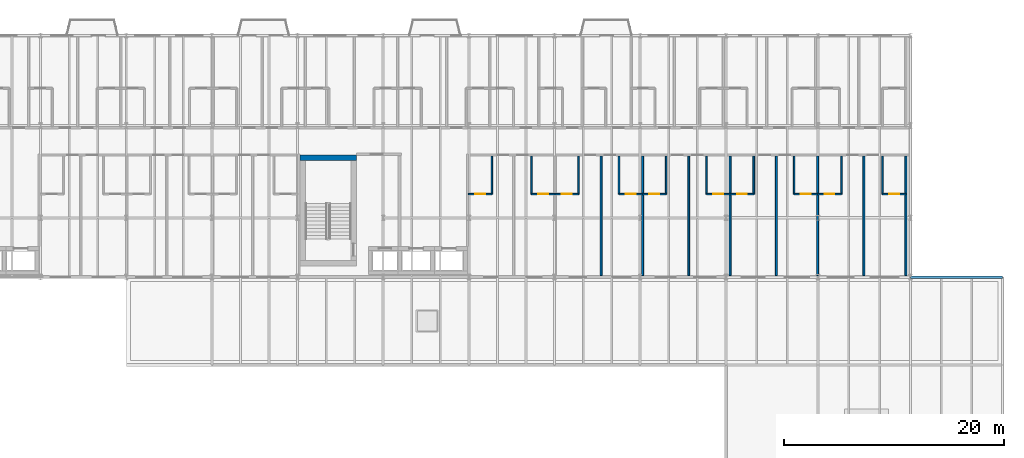
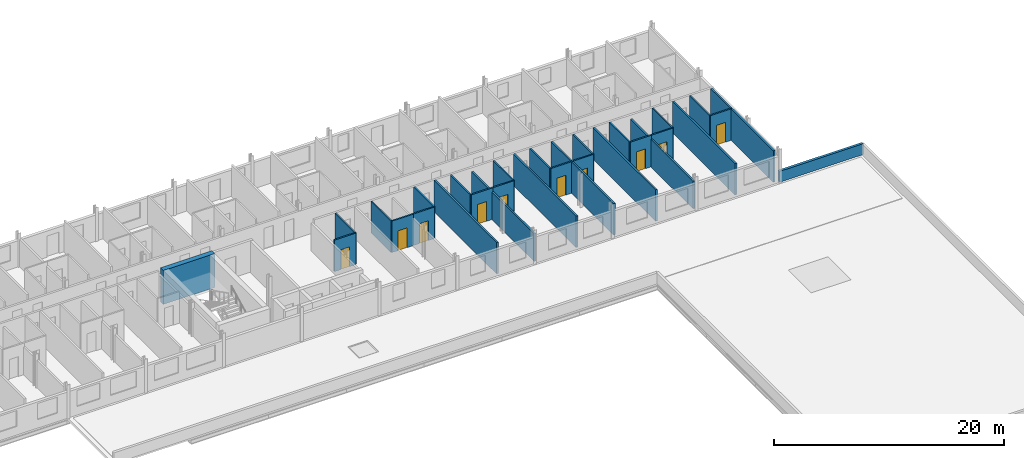
# One storey, part 26 of 36: 30 walls, 10 doors, 10 openings.
"""IFC4 building model written with IfcOpenShell, lengths in metres."""

from ifc_helpers import new_model, si_unit, direction, frame, frame_2d, origin, place, context, subcontext, project, spatial, rectangle, extrude, material, layer, layer_set, type_object, element, fill, save


model = new_model("IFC4")

# Units and contexts
model_context = context("Model", 3, precision=1e-05, world=origin(), true_north=direction((0.0, 1.0)))
body_context = subcontext(model_context, "Body", "Model", "MODEL_VIEW")
ifc_project = project(units=[si_unit("LENGTHUNIT", "METRE"), si_unit("AREAUNIT", "SQUARE_METRE"), si_unit("VOLUMEUNIT", "CUBIC_METRE"), si_unit("PLANEANGLEUNIT", "RADIAN"), si_unit("MASSUNIT", "GRAM", prefix="KILO")], contexts=[model_context])

# Site, building, storey
site_placement = place(None, origin())
site = spatial("IfcSite", under=ifc_project, at=site_placement, CompositionType="ELEMENT")
building_placement = place(site_placement, origin())
building = spatial("IfcBuilding", under=site, at=building_placement, Name="Sefraquen Railside Congress Hotel", CompositionType="ELEMENT")
storey_placement = place(building_placement, frame((0.0, 0.0, 24.60009765625)))
storey = spatial("IfcBuildingStorey", under=building, at=storey_placement, Name="L05", CompositionType="ELEMENT", Elevation=24.60009765625)

# Walls
ifc_material_1 = material(Name="Concrete C50/60", Category="concrete")
ifc_layer_1 = layer(ifc_material_1, 0.5)
ifc_layer_set_1 = layer_set([ifc_layer_1], Name="Concrete C50/60")
wall_type_1 = type_object("IfcWallType", Name="TW-CW-500", PredefinedType="SHEAR", material=ifc_layer_set_1)
wall_1_placement = place(storey_placement, frame((64.39990234375, 106.862060546875, 0.0), z_axis=(0.0, 0.0, 1.0), x_axis=(1.0, 0.0, 0.0)))
element("IfcWall", 1, at=wall_1_placement, inside=storey, type_object=wall_type_1, Name="Core shear wall ST-H03 N L05", PredefinedType="SHEAR", context=body_context, shape_type="SweptSolid", body=[
    extrude(rectangle(XDim=5.16015625, YDim=0.5, at=frame_2d((2.580078125, 0.0))), origin(), (0.0, 0.0, 1.0), 3.599853515625),
])
ifc_material_2 = material(Name="Precast concrete C40/50", Category="concrete")
ifc_layer_2 = layer(ifc_material_2, 0.25)
ifc_layer_set_2 = layer_set([ifc_layer_2], Name="Precast concrete C40/50")
wall_type_2 = type_object("IfcWallType", Name="TW-PA-250", PredefinedType="PARAPET", material=ifc_layer_set_2)
wall_2_placement = place(storey_placement, frame((128.39990234375, 96.0, 0.0), z_axis=(0.0, 0.0, 1.0), x_axis=(-1.0, 0.0, 0.0)))
element("IfcWall", 2, at=wall_2_placement, inside=storey, type_object=wall_type_2, Name="Meeting Wing L05 roof parapet 05", PredefinedType="PARAPET", context=body_context, shape_type="SweptSolid", body=[
    extrude(rectangle(XDim=8.39990234375, YDim=0.25, at=frame_2d((4.199951171875, 0.0))), origin(), (0.0, 0.0, 1.0), 1.14990234375),
])
ifc_material_3 = material(Name="Moisture-resistant gypsum board", Category="gypsum")
ifc_layer_3 = layer(ifc_material_3, 0.139892578125)
ifc_layer_set_3 = layer_set([ifc_layer_3], Name="Moisture-resistant gypsum board")
wall_type_3 = type_object("IfcWallType", Name="TW-PW-140", PredefinedType="PARTITIONING", material=ifc_layer_set_3)
wall_3_placement = place(storey_placement, frame((81.89990234375, 103.550048828125, 0.0), z_axis=(0.0, 0.0, 1.0), x_axis=(0.0, 1.0, 0.0)))
element("IfcWall", 3, at=wall_3_placement, inside=storey, type_object=wall_type_3, Name="En-suite bathroom east wall RM-030", PredefinedType="PARTITIONING", context=body_context, shape_type="SweptSolid", body=[
    extrude(rectangle(XDim=3.469970703125, YDim=0.139892578125, at=frame_2d((1.73486328125, 0.0))), origin(), (0.0, 0.0, 1.0), 3.33984375),
])

# Wall, opening, door
wall_4_placement = place(storey_placement, frame((79.75, 103.550048828125, 0.0), z_axis=(0.0, 0.0, 1.0), x_axis=(1.0, 0.0, 0.0)))
wall_4 = element("IfcWall", 4, at=wall_4_placement, inside=storey, type_object=wall_type_3, Name="En-suite bathroom south wall RM-030", PredefinedType="PARTITIONING", context=body_context, shape_type="SweptSolid", body=[
    extrude(rectangle(XDim=2.14990234375, YDim=0.139892578125, at=frame_2d((1.074951171875, 0.0))), origin(), (0.0, 0.0, 1.0), 3.33984375),
])
opening_1_placement = place(wall_4_placement, frame((0.625, 0.0, 0.0)))
opening_1 = element("IfcOpeningElement", 5, at=opening_1_placement, cuts=wall_4, Name="Opening ID-02", PredefinedType="OPENING", context=body_context, shape_type="SweptSolid", body=[
    extrude(rectangle(XDim=0.89990234375, YDim=2.10009765625, at=frame_2d((0.449951171875, 1.050048828125))), frame((0.0, 0.079833984375, 0.0), z_axis=(0.0, -1.0, 0.0), x_axis=(1.0, 0.0, 0.0)), (0.0, 0.0, 1.0), 0.159912109375),
])
ifc_material_4 = material(Name="Lacquered cedar joinery", Category="wood")
door_type = type_object("IfcDoorType", Name="TD-ID-02", OperationType="NOTDEFINED", PredefinedType="DOOR", material=ifc_material_4)
door_1_placement = place(opening_1_placement, frame((0.89990234375, 0.0, 0.0), z_axis=(0.0, 0.0, 1.0), x_axis=(-1.0, 0.0, 0.0)))
door_1 = element("IfcDoor", 6, at=door_1_placement, inside=storey, type_object=door_type, Name="En-suite bathroom door RM-030", OperationType="SINGLE_SWING_LEFT", OverallHeight=2.10009765625, OverallWidth=0.89990234375, PredefinedType="DOOR", context=body_context, shape_type="SweptSolid", body=[
    extrude(rectangle(XDim=0.89990234375, YDim=2.10009765625, at=frame_2d((0.449951171875, 1.050048828125))), frame((0.0, 0.02490234375, 0.0), z_axis=(0.0, -1.0, 0.0), x_axis=(1.0, 0.0, 0.0)), (0.0, 0.0, 1.0), 0.050048828125),
])
fill(opening_1, door_1)

# Wall
wall_5_placement = place(storey_placement, frame((85.498046875, 103.550048828125, 0.0), z_axis=(0.0, 0.0, 1.0), x_axis=(0.0, 1.0, 0.0)))
element("IfcWall", 7, at=wall_5_placement, inside=storey, type_object=wall_type_3, Name="En-suite bathroom west wall RM-031", PredefinedType="PARTITIONING", context=body_context, shape_type="SweptSolid", body=[
    extrude(rectangle(XDim=3.469970703125, YDim=0.139892578125, at=frame_2d((1.73486328125, 0.0))), origin(), (0.0, 0.0, 1.0), 3.33984375),
])

# Wall, opening, door
wall_6_placement = place(storey_placement, frame((85.498046875, 103.550048828125, 0.0), z_axis=(0.0, 0.0, 1.0), x_axis=(1.0, 0.0, 0.0)))
wall_6 = element("IfcWall", 8, at=wall_6_placement, inside=storey, type_object=wall_type_3, Name="En-suite bathroom south wall RM-031", PredefinedType="PARTITIONING", context=body_context, shape_type="SweptSolid", body=[
    extrude(rectangle(XDim=2.14990234375, YDim=0.139892578125, at=frame_2d((1.074951171875, 0.0))), origin(), (0.0, 0.0, 1.0), 3.33984375),
])
opening_2_placement = place(wall_6_placement, frame((0.625, 0.0, 0.0)))
opening_2 = element("IfcOpeningElement", 9, at=opening_2_placement, cuts=wall_6, Name="Opening ID-02", PredefinedType="OPENING", context=body_context, shape_type="SweptSolid", body=[
    extrude(rectangle(XDim=0.89990234375, YDim=2.10009765625, at=frame_2d((0.449951171875, 1.050048828125))), frame((0.0, 0.079833984375, 0.0), z_axis=(0.0, -1.0, 0.0), x_axis=(1.0, 0.0, 0.0)), (0.0, 0.0, 1.0), 0.159912109375),
])
door_2_placement = place(opening_2_placement, frame((0.89990234375, 0.0, 0.0), z_axis=(0.0, 0.0, 1.0), x_axis=(-1.0, 0.0, 0.0)))
door_2 = element("IfcDoor", 10, at=door_2_placement, inside=storey, type_object=door_type, Name="En-suite bathroom door RM-031", OperationType="SINGLE_SWING_LEFT", OverallHeight=2.10009765625, OverallWidth=0.89990234375, PredefinedType="DOOR", context=body_context, shape_type="SweptSolid", body=[
    extrude(rectangle(XDim=0.89990234375, YDim=2.10009765625, at=frame_2d((0.449951171875, 1.050048828125))), frame((0.0, 0.02490234375, 0.0), z_axis=(0.0, -1.0, 0.0), x_axis=(1.0, 0.0, 0.0)), (0.0, 0.0, 1.0), 0.050048828125),
])
fill(opening_2, door_2)

# Wall
wall_7_placement = place(storey_placement, frame((89.798095703125, 103.550048828125, 0.0), z_axis=(0.0, 0.0, 1.0), x_axis=(0.0, 1.0, 0.0)))
element("IfcWall", 11, at=wall_7_placement, inside=storey, type_object=wall_type_3, Name="En-suite bathroom east wall RM-032", PredefinedType="PARTITIONING", context=body_context, shape_type="SweptSolid", body=[
    extrude(rectangle(XDim=3.469970703125, YDim=0.139892578125, at=frame_2d((1.73486328125, 0.0))), origin(), (0.0, 0.0, 1.0), 3.33984375),
])

# Wall, opening, door
wall_8_placement = place(storey_placement, frame((87.64794921875, 103.550048828125, 0.0), z_axis=(0.0, 0.0, 1.0), x_axis=(1.0, 0.0, 0.0)))
wall_8 = element("IfcWall", 12, at=wall_8_placement, inside=storey, type_object=wall_type_3, Name="En-suite bathroom south wall RM-032", PredefinedType="PARTITIONING", context=body_context, shape_type="SweptSolid", body=[
    extrude(rectangle(XDim=2.150146484375, YDim=0.139892578125, at=frame_2d((1.0751953125, 0.0))), origin(), (0.0, 0.0, 1.0), 3.33984375),
])
opening_3_placement = place(wall_8_placement, frame((0.625, 0.0, 0.0)))
opening_3 = element("IfcOpeningElement", 13, at=opening_3_placement, cuts=wall_8, Name="Opening ID-02", PredefinedType="OPENING", context=body_context, shape_type="SweptSolid", body=[
    extrude(rectangle(XDim=0.89990234375, YDim=2.10009765625, at=frame_2d((0.449951171875, 1.050048828125))), frame((0.0, 0.079833984375, 0.0), z_axis=(0.0, -1.0, 0.0), x_axis=(1.0, 0.0, 0.0)), (0.0, 0.0, 1.0), 0.159912109375),
])
door_3_placement = place(opening_3_placement, frame((0.89990234375, 0.0, 0.0), z_axis=(0.0, 0.0, 1.0), x_axis=(-1.0, 0.0, 0.0)))
door_3 = element("IfcDoor", 14, at=door_3_placement, inside=storey, type_object=door_type, Name="En-suite bathroom door RM-032", OperationType="SINGLE_SWING_LEFT", OverallHeight=2.10009765625, OverallWidth=0.89990234375, PredefinedType="DOOR", context=body_context, shape_type="SweptSolid", body=[
    extrude(rectangle(XDim=0.89990234375, YDim=2.10009765625, at=frame_2d((0.449951171875, 1.050048828125))), frame((0.0, 0.02490234375, 0.0), z_axis=(0.0, -1.0, 0.0), x_axis=(1.0, 0.0, 0.0)), (0.0, 0.0, 1.0), 0.050048828125),
])
fill(opening_3, door_3)

# Wall
wall_9_placement = place(storey_placement, frame((93.468017578125, 103.550048828125, 0.0), z_axis=(0.0, 0.0, 1.0), x_axis=(0.0, 1.0, 0.0)))
element("IfcWall", 15, at=wall_9_placement, inside=storey, type_object=wall_type_3, Name="En-suite bathroom west wall RM-033", PredefinedType="PARTITIONING", context=body_context, shape_type="SweptSolid", body=[
    extrude(rectangle(XDim=3.469970703125, YDim=0.139892578125, at=frame_2d((1.73486328125, 0.0))), origin(), (0.0, 0.0, 1.0), 3.33984375),
])

# Wall, opening, door
wall_10_placement = place(storey_placement, frame((93.468017578125, 103.550048828125, 0.0), z_axis=(0.0, 0.0, 1.0), x_axis=(1.0, 0.0, 0.0)))
wall_10 = element("IfcWall", 16, at=wall_10_placement, inside=storey, type_object=wall_type_3, Name="En-suite bathroom south wall RM-033", PredefinedType="PARTITIONING", context=body_context, shape_type="SweptSolid", body=[
    extrude(rectangle(XDim=2.14990234375, YDim=0.139892578125, at=frame_2d((1.074951171875, 0.0))), origin(), (0.0, 0.0, 1.0), 3.33984375),
])
opening_4_placement = place(wall_10_placement, frame((0.625, 0.0, 0.0)))
opening_4 = element("IfcOpeningElement", 17, at=opening_4_placement, cuts=wall_10, Name="Opening ID-02", PredefinedType="OPENING", context=body_context, shape_type="SweptSolid", body=[
    extrude(rectangle(XDim=0.89990234375, YDim=2.10009765625, at=frame_2d((0.449951171875, 1.050048828125))), frame((0.0, 0.079833984375, 0.0), z_axis=(0.0, -1.0, 0.0), x_axis=(1.0, 0.0, 0.0)), (0.0, 0.0, 1.0), 0.159912109375),
])
door_4_placement = place(opening_4_placement, frame((0.89990234375, 0.0, 0.0), z_axis=(0.0, 0.0, 1.0), x_axis=(-1.0, 0.0, 0.0)))
door_4 = element("IfcDoor", 18, at=door_4_placement, inside=storey, type_object=door_type, Name="En-suite bathroom door RM-033", OperationType="SINGLE_SWING_LEFT", OverallHeight=2.10009765625, OverallWidth=0.89990234375, PredefinedType="DOOR", context=body_context, shape_type="SweptSolid", body=[
    extrude(rectangle(XDim=0.89990234375, YDim=2.10009765625, at=frame_2d((0.449951171875, 1.050048828125))), frame((0.0, 0.02490234375, 0.0), z_axis=(0.0, -1.0, 0.0), x_axis=(1.0, 0.0, 0.0)), (0.0, 0.0, 1.0), 0.050048828125),
])
fill(opening_4, door_4)

# Wall
wall_11_placement = place(storey_placement, frame((97.76806640625, 103.550048828125, 0.0), z_axis=(0.0, 0.0, 1.0), x_axis=(0.0, 1.0, 0.0)))
element("IfcWall", 19, at=wall_11_placement, inside=storey, type_object=wall_type_3, Name="En-suite bathroom east wall RM-034", PredefinedType="PARTITIONING", context=body_context, shape_type="SweptSolid", body=[
    extrude(rectangle(XDim=3.469970703125, YDim=0.139892578125, at=frame_2d((1.73486328125, 0.0))), origin(), (0.0, 0.0, 1.0), 3.33984375),
])

# Wall, opening, door
wall_12_placement = place(storey_placement, frame((95.617919921875, 103.550048828125, 0.0), z_axis=(0.0, 0.0, 1.0), x_axis=(1.0, 0.0, 0.0)))
wall_12 = element("IfcWall", 20, at=wall_12_placement, inside=storey, type_object=wall_type_3, Name="En-suite bathroom south wall RM-034", PredefinedType="PARTITIONING", context=body_context, shape_type="SweptSolid", body=[
    extrude(rectangle(XDim=2.150146484375, YDim=0.139892578125, at=frame_2d((1.0751953125, 0.0))), origin(), (0.0, 0.0, 1.0), 3.33984375),
])
opening_5_placement = place(wall_12_placement, frame((0.625, 0.0, 0.0)))
opening_5 = element("IfcOpeningElement", 21, at=opening_5_placement, cuts=wall_12, Name="Opening ID-02", PredefinedType="OPENING", context=body_context, shape_type="SweptSolid", body=[
    extrude(rectangle(XDim=0.89990234375, YDim=2.10009765625, at=frame_2d((0.449951171875, 1.050048828125))), frame((0.0, 0.079833984375, 0.0), z_axis=(0.0, -1.0, 0.0), x_axis=(1.0, 0.0, 0.0)), (0.0, 0.0, 1.0), 0.159912109375),
])
door_5_placement = place(opening_5_placement, frame((0.89990234375, 0.0, 0.0), z_axis=(0.0, 0.0, 1.0), x_axis=(-1.0, 0.0, 0.0)))
door_5 = element("IfcDoor", 22, at=door_5_placement, inside=storey, type_object=door_type, Name="En-suite bathroom door RM-034", OperationType="SINGLE_SWING_LEFT", OverallHeight=2.10009765625, OverallWidth=0.89990234375, PredefinedType="DOOR", context=body_context, shape_type="SweptSolid", body=[
    extrude(rectangle(XDim=0.89990234375, YDim=2.10009765625, at=frame_2d((0.449951171875, 1.050048828125))), frame((0.0, 0.02490234375, 0.0), z_axis=(0.0, -1.0, 0.0), x_axis=(1.0, 0.0, 0.0)), (0.0, 0.0, 1.0), 0.050048828125),
])
fill(opening_5, door_5)

# Wall
wall_13_placement = place(storey_placement, frame((101.43798828125, 103.550048828125, 0.0), z_axis=(0.0, 0.0, 1.0), x_axis=(0.0, 1.0, 0.0)))
element("IfcWall", 23, at=wall_13_placement, inside=storey, type_object=wall_type_3, Name="En-suite bathroom west wall RM-035", PredefinedType="PARTITIONING", context=body_context, shape_type="SweptSolid", body=[
    extrude(rectangle(XDim=3.469970703125, YDim=0.139892578125, at=frame_2d((1.73486328125, 0.0))), origin(), (0.0, 0.0, 1.0), 3.33984375),
])

# Wall, opening, door
wall_14_placement = place(storey_placement, frame((101.43798828125, 103.550048828125, 0.0), z_axis=(0.0, 0.0, 1.0), x_axis=(1.0, 0.0, 0.0)))
wall_14 = element("IfcWall", 24, at=wall_14_placement, inside=storey, type_object=wall_type_3, Name="En-suite bathroom south wall RM-035", PredefinedType="PARTITIONING", context=body_context, shape_type="SweptSolid", body=[
    extrude(rectangle(XDim=2.14990234375, YDim=0.139892578125, at=frame_2d((1.074951171875, 0.0))), origin(), (0.0, 0.0, 1.0), 3.33984375),
])
opening_6_placement = place(wall_14_placement, frame((0.625, 0.0, 0.0)))
opening_6 = element("IfcOpeningElement", 25, at=opening_6_placement, cuts=wall_14, Name="Opening ID-02", PredefinedType="OPENING", context=body_context, shape_type="SweptSolid", body=[
    extrude(rectangle(XDim=0.89990234375, YDim=2.10009765625, at=frame_2d((0.449951171875, 1.050048828125))), frame((0.0, 0.079833984375, 0.0), z_axis=(0.0, -1.0, 0.0), x_axis=(1.0, 0.0, 0.0)), (0.0, 0.0, 1.0), 0.159912109375),
])
door_6_placement = place(opening_6_placement, frame((0.89990234375, 0.0, 0.0), z_axis=(0.0, 0.0, 1.0), x_axis=(-1.0, 0.0, 0.0)))
door_6 = element("IfcDoor", 26, at=door_6_placement, inside=storey, type_object=door_type, Name="En-suite bathroom door RM-035", OperationType="SINGLE_SWING_LEFT", OverallHeight=2.10009765625, OverallWidth=0.89990234375, PredefinedType="DOOR", context=body_context, shape_type="SweptSolid", body=[
    extrude(rectangle(XDim=0.89990234375, YDim=2.10009765625, at=frame_2d((0.449951171875, 1.050048828125))), frame((0.0, 0.02490234375, 0.0), z_axis=(0.0, -1.0, 0.0), x_axis=(1.0, 0.0, 0.0)), (0.0, 0.0, 1.0), 0.050048828125),
])
fill(opening_6, door_6)

# Wall
wall_15_placement = place(storey_placement, frame((105.738037109375, 103.550048828125, 0.0), z_axis=(0.0, 0.0, 1.0), x_axis=(0.0, 1.0, 0.0)))
element("IfcWall", 27, at=wall_15_placement, inside=storey, type_object=wall_type_3, Name="En-suite bathroom east wall RM-036", PredefinedType="PARTITIONING", context=body_context, shape_type="SweptSolid", body=[
    extrude(rectangle(XDim=3.469970703125, YDim=0.139892578125, at=frame_2d((1.73486328125, 0.0))), origin(), (0.0, 0.0, 1.0), 3.33984375),
])

# Wall, opening, door
wall_16_placement = place(storey_placement, frame((103.587890625, 103.550048828125, 0.0), z_axis=(0.0, 0.0, 1.0), x_axis=(1.0, 0.0, 0.0)))
wall_16 = element("IfcWall", 28, at=wall_16_placement, inside=storey, type_object=wall_type_3, Name="En-suite bathroom south wall RM-036", PredefinedType="PARTITIONING", context=body_context, shape_type="SweptSolid", body=[
    extrude(rectangle(XDim=2.150146484375, YDim=0.139892578125, at=frame_2d((1.0751953125, 0.0))), origin(), (0.0, 0.0, 1.0), 3.33984375),
])
opening_7_placement = place(wall_16_placement, frame((0.625, 0.0, 0.0)))
opening_7 = element("IfcOpeningElement", 29, at=opening_7_placement, cuts=wall_16, Name="Opening ID-02", PredefinedType="OPENING", context=body_context, shape_type="SweptSolid", body=[
    extrude(rectangle(XDim=0.89990234375, YDim=2.10009765625, at=frame_2d((0.449951171875, 1.050048828125))), frame((0.0, 0.079833984375, 0.0), z_axis=(0.0, -1.0, 0.0), x_axis=(1.0, 0.0, 0.0)), (0.0, 0.0, 1.0), 0.159912109375),
])
door_7_placement = place(opening_7_placement, frame((0.89990234375, 0.0, 0.0), z_axis=(0.0, 0.0, 1.0), x_axis=(-1.0, 0.0, 0.0)))
door_7 = element("IfcDoor", 30, at=door_7_placement, inside=storey, type_object=door_type, Name="En-suite bathroom door RM-036", OperationType="SINGLE_SWING_LEFT", OverallHeight=2.10009765625, OverallWidth=0.89990234375, PredefinedType="DOOR", context=body_context, shape_type="SweptSolid", body=[
    extrude(rectangle(XDim=0.89990234375, YDim=2.10009765625, at=frame_2d((0.449951171875, 1.050048828125))), frame((0.0, 0.02490234375, 0.0), z_axis=(0.0, -1.0, 0.0), x_axis=(1.0, 0.0, 0.0)), (0.0, 0.0, 1.0), 0.050048828125),
])
fill(opening_7, door_7)

# Wall
wall_17_placement = place(storey_placement, frame((109.407958984375, 103.550048828125, 0.0), z_axis=(0.0, 0.0, 1.0), x_axis=(0.0, 1.0, 0.0)))
element("IfcWall", 31, at=wall_17_placement, inside=storey, type_object=wall_type_3, Name="En-suite bathroom west wall RM-037", PredefinedType="PARTITIONING", context=body_context, shape_type="SweptSolid", body=[
    extrude(rectangle(XDim=3.469970703125, YDim=0.139892578125, at=frame_2d((1.73486328125, 0.0))), origin(), (0.0, 0.0, 1.0), 3.33984375),
])

# Wall, opening, door
wall_18_placement = place(storey_placement, frame((109.407958984375, 103.550048828125, 0.0), z_axis=(0.0, 0.0, 1.0), x_axis=(1.0, 0.0, 0.0)))
wall_18 = element("IfcWall", 32, at=wall_18_placement, inside=storey, type_object=wall_type_3, Name="En-suite bathroom south wall RM-037", PredefinedType="PARTITIONING", context=body_context, shape_type="SweptSolid", body=[
    extrude(rectangle(XDim=2.150146484375, YDim=0.139892578125, at=frame_2d((1.0751953125, 0.0))), origin(), (0.0, 0.0, 1.0), 3.33984375),
])
opening_8_placement = place(wall_18_placement, frame((0.625, 0.0, 0.0)))
opening_8 = element("IfcOpeningElement", 33, at=opening_8_placement, cuts=wall_18, Name="Opening ID-02", PredefinedType="OPENING", context=body_context, shape_type="SweptSolid", body=[
    extrude(rectangle(XDim=0.89990234375, YDim=2.10009765625, at=frame_2d((0.449951171875, 1.050048828125))), frame((0.0, 0.079833984375, 0.0), z_axis=(0.0, -1.0, 0.0), x_axis=(1.0, 0.0, 0.0)), (0.0, 0.0, 1.0), 0.159912109375),
])
door_8_placement = place(opening_8_placement, frame((0.89990234375, 0.0, 0.0), z_axis=(0.0, 0.0, 1.0), x_axis=(-1.0, 0.0, 0.0)))
door_8 = element("IfcDoor", 34, at=door_8_placement, inside=storey, type_object=door_type, Name="En-suite bathroom door RM-037", OperationType="SINGLE_SWING_LEFT", OverallHeight=2.10009765625, OverallWidth=0.89990234375, PredefinedType="DOOR", context=body_context, shape_type="SweptSolid", body=[
    extrude(rectangle(XDim=0.89990234375, YDim=2.10009765625, at=frame_2d((0.449951171875, 1.050048828125))), frame((0.0, 0.02490234375, 0.0), z_axis=(0.0, -1.0, 0.0), x_axis=(1.0, 0.0, 0.0)), (0.0, 0.0, 1.0), 0.050048828125),
])
fill(opening_8, door_8)

# Wall
wall_19_placement = place(storey_placement, frame((113.7080078125, 103.550048828125, 0.0), z_axis=(0.0, 0.0, 1.0), x_axis=(0.0, 1.0, 0.0)))
element("IfcWall", 35, at=wall_19_placement, inside=storey, type_object=wall_type_3, Name="En-suite bathroom east wall RM-038", PredefinedType="PARTITIONING", context=body_context, shape_type="SweptSolid", body=[
    extrude(rectangle(XDim=3.469970703125, YDim=0.139892578125, at=frame_2d((1.73486328125, 0.0))), origin(), (0.0, 0.0, 1.0), 3.33984375),
])

# Wall, opening, door
wall_20_placement = place(storey_placement, frame((111.55810546875, 103.550048828125, 0.0), z_axis=(0.0, 0.0, 1.0), x_axis=(1.0, 0.0, 0.0)))
wall_20 = element("IfcWall", 36, at=wall_20_placement, inside=storey, type_object=wall_type_3, Name="En-suite bathroom south wall RM-038", PredefinedType="PARTITIONING", context=body_context, shape_type="SweptSolid", body=[
    extrude(rectangle(XDim=2.14990234375, YDim=0.139892578125, at=frame_2d((1.074951171875, 0.0))), origin(), (0.0, 0.0, 1.0), 3.33984375),
])
opening_9_placement = place(wall_20_placement, frame((0.625, 0.0, 0.0)))
opening_9 = element("IfcOpeningElement", 37, at=opening_9_placement, cuts=wall_20, Name="Opening ID-02", PredefinedType="OPENING", context=body_context, shape_type="SweptSolid", body=[
    extrude(rectangle(XDim=0.89990234375, YDim=2.10009765625, at=frame_2d((0.449951171875, 1.050048828125))), frame((0.0, 0.079833984375, 0.0), z_axis=(0.0, -1.0, 0.0), x_axis=(1.0, 0.0, 0.0)), (0.0, 0.0, 1.0), 0.159912109375),
])
door_9_placement = place(opening_9_placement, frame((0.89990234375, 0.0, 0.0), z_axis=(0.0, 0.0, 1.0), x_axis=(-1.0, 0.0, 0.0)))
door_9 = element("IfcDoor", 38, at=door_9_placement, inside=storey, type_object=door_type, Name="En-suite bathroom door RM-038", OperationType="SINGLE_SWING_LEFT", OverallHeight=2.10009765625, OverallWidth=0.89990234375, PredefinedType="DOOR", context=body_context, shape_type="SweptSolid", body=[
    extrude(rectangle(XDim=0.89990234375, YDim=2.10009765625, at=frame_2d((0.449951171875, 1.050048828125))), frame((0.0, 0.02490234375, 0.0), z_axis=(0.0, -1.0, 0.0), x_axis=(1.0, 0.0, 0.0)), (0.0, 0.0, 1.0), 0.050048828125),
])
fill(opening_9, door_9)

# Wall
wall_21_placement = place(storey_placement, frame((117.449951171875, 103.550048828125, 0.0), z_axis=(0.0, 0.0, 1.0), x_axis=(0.0, 1.0, 0.0)))
element("IfcWall", 39, at=wall_21_placement, inside=storey, type_object=wall_type_3, Name="En-suite bathroom west wall RM-039", PredefinedType="PARTITIONING", context=body_context, shape_type="SweptSolid", body=[
    extrude(rectangle(XDim=3.469970703125, YDim=0.139892578125, at=frame_2d((1.73486328125, 0.0))), origin(), (0.0, 0.0, 1.0), 3.33984375),
])

# Wall, opening, door
wall_22_placement = place(storey_placement, frame((117.449951171875, 103.550048828125, 0.0), z_axis=(0.0, 0.0, 1.0), x_axis=(1.0, 0.0, 0.0)))
wall_22 = element("IfcWall", 40, at=wall_22_placement, inside=storey, type_object=wall_type_3, Name="En-suite bathroom south wall RM-039", PredefinedType="PARTITIONING", context=body_context, shape_type="SweptSolid", body=[
    extrude(rectangle(XDim=2.150146484375, YDim=0.139892578125, at=frame_2d((1.0751953125, 0.0))), origin(), (0.0, 0.0, 1.0), 3.33984375),
])
opening_10_placement = place(wall_22_placement, frame((0.625, 0.0, 0.0)))
opening_10 = element("IfcOpeningElement", 41, at=opening_10_placement, cuts=wall_22, Name="Opening ID-02", PredefinedType="OPENING", context=body_context, shape_type="SweptSolid", body=[
    extrude(rectangle(XDim=0.89990234375, YDim=2.10009765625, at=frame_2d((0.449951171875, 1.050048828125))), frame((0.0, 0.079833984375, 0.0), z_axis=(0.0, -1.0, 0.0), x_axis=(1.0, 0.0, 0.0)), (0.0, 0.0, 1.0), 0.159912109375),
])
door_10_placement = place(opening_10_placement, frame((0.89990234375, 0.0, 0.0), z_axis=(0.0, 0.0, 1.0), x_axis=(-1.0, 0.0, 0.0)))
door_10 = element("IfcDoor", 42, at=door_10_placement, inside=storey, type_object=door_type, Name="En-suite bathroom door RM-039", OperationType="SINGLE_SWING_LEFT", OverallHeight=2.10009765625, OverallWidth=0.89990234375, PredefinedType="DOOR", context=body_context, shape_type="SweptSolid", body=[
    extrude(rectangle(XDim=0.89990234375, YDim=2.10009765625, at=frame_2d((0.449951171875, 1.050048828125))), frame((0.0, 0.02490234375, 0.0), z_axis=(0.0, -1.0, 0.0), x_axis=(1.0, 0.0, 0.0)), (0.0, 0.0, 1.0), 0.050048828125),
])
fill(opening_10, door_10)

# Walls
ifc_material_5 = material(Name="Acoustic gypsum board on metal stud", Category="gypsum")
ifc_layer_4 = layer(ifc_material_5, 0.179931640625)
ifc_layer_set_4 = layer_set([ifc_layer_4], Name="Acoustic gypsum board on metal stud")
wall_type_4 = type_object("IfcWallType", Name="TW-PW-180", PredefinedType="PARTITIONING", material=ifc_layer_set_4)
wall_23_placement = place(storey_placement, frame((91.84912109375, 96.139892578125, 0.0), z_axis=(0.0, 0.0, 1.0), x_axis=(0.0, 1.0, 0.0)))
element("IfcWall", 43, at=wall_23_placement, inside=storey, type_object=wall_type_4, Name="South guest room demising wall RM-032", PredefinedType="PARTITIONING", context=body_context, shape_type="SweptSolid", body=[
    extrude(rectangle(XDim=10.880126953125, YDim=0.179931640625, at=frame_2d((5.43994140625, 0.0))), origin(), (0.0, 0.0, 1.0), 3.33984375),
])
wall_24_placement = place(storey_placement, frame((95.617919921875, 96.139892578125, 0.0), z_axis=(0.0, 0.0, 1.0), x_axis=(0.0, 1.0, 0.0)))
element("IfcWall", 44, at=wall_24_placement, inside=storey, type_object=wall_type_4, Name="South guest room demising wall RM-033", PredefinedType="PARTITIONING", context=body_context, shape_type="SweptSolid", body=[
    extrude(rectangle(XDim=10.880126953125, YDim=0.179931640625, at=frame_2d((5.43994140625, 0.0))), origin(), (0.0, 0.0, 1.0), 2.929931640625),
])
for number, where, z_axis, x_axis, name in (
    (45, (99.819091796875, 96.139892578125, 0.0), (0.0, 0.0, 1.0), (0.0, 1.0, 0.0), "South guest room demising wall RM-034"),
    (46, (103.587890625, 96.139892578125, 0.0), (0.0, 0.0, 1.0), (0.0, 1.0, 0.0), "South guest room demising wall RM-035"),
    (47, (107.7890625, 96.139892578125, 0.0), (0.0, 0.0, 1.0), (0.0, 1.0, 0.0), "South guest room demising wall RM-036"),
):
    element("IfcWall", number, at=place(storey_placement, frame(where, z_axis=z_axis, x_axis=x_axis)), inside=storey, type_object=wall_type_4, Name=name, PredefinedType="PARTITIONING", context=body_context, shape_type="SweptSolid", body=[
        extrude(rectangle(XDim=10.880126953125, YDim=0.179931640625, at=frame_2d((5.43994140625, 0.0))), origin(), (0.0, 0.0, 1.0), 3.33984375),
    ])
wall_25_placement = place(storey_placement, frame((111.55810546875, 96.139892578125, 0.0), z_axis=(0.0, 0.0, 1.0), x_axis=(0.0, 1.0, 0.0)))
element("IfcWall", 48, at=wall_25_placement, inside=storey, type_object=wall_type_4, Name="South guest room demising wall RM-037", PredefinedType="PARTITIONING", context=body_context, shape_type="SweptSolid", body=[
    extrude(rectangle(XDim=10.880126953125, YDim=0.179931640625, at=frame_2d((5.43994140625, 0.0))), origin(), (0.0, 0.0, 1.0), 2.929931640625),
])
for number, where, z_axis, x_axis, name in (
    (49, (115.759033203125, 96.139892578125, 0.0), (0.0, 0.0, 1.0), (0.0, 1.0, 0.0), "South guest room demising wall RM-038"),
    (50, (119.60009765625, 96.139892578125, 0.0), (0.0, 0.0, 1.0), (0.0, 1.0, 0.0), "South guest room demising wall RM-039"),
):
    element("IfcWall", number, at=place(storey_placement, frame(where, z_axis=z_axis, x_axis=x_axis)), inside=storey, type_object=wall_type_4, Name=name, PredefinedType="PARTITIONING", context=body_context, shape_type="SweptSolid", body=[
        extrude(rectangle(XDim=10.880126953125, YDim=0.179931640625, at=frame_2d((5.43994140625, 0.0))), origin(), (0.0, 0.0, 1.0), 3.33984375),
    ])

save(model, "model.ifc")
